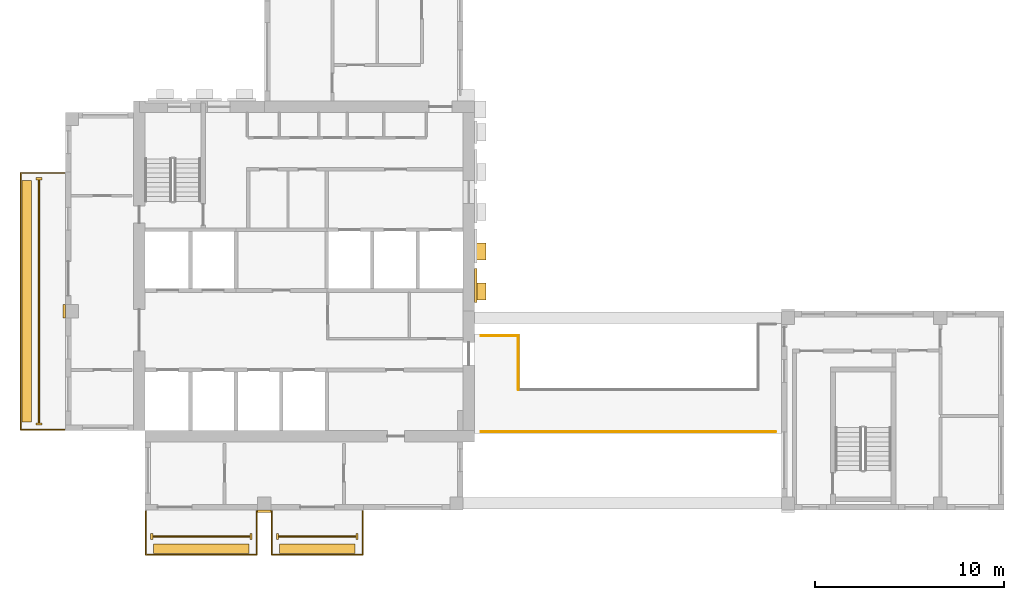
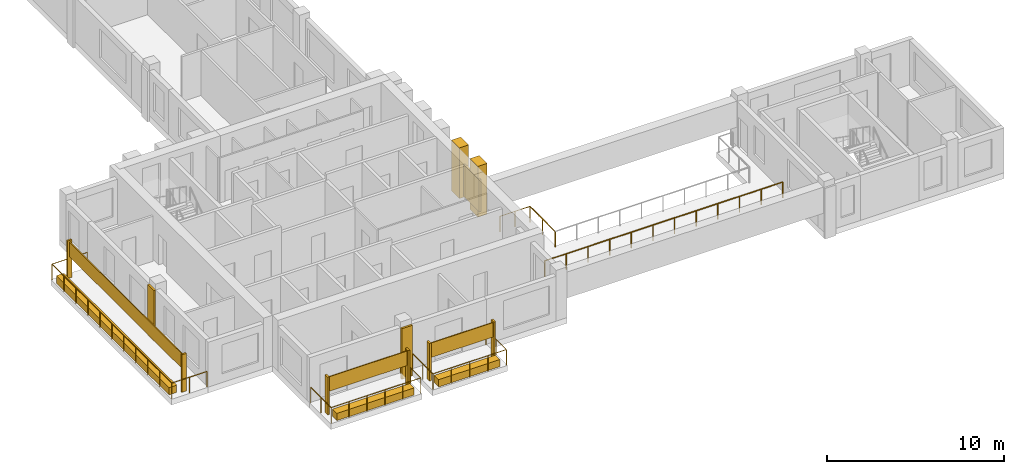
# One storey, part 6 of 9: 17 coverings, 6 railings.
"""IFC4 building model written with IfcOpenShell, lengths in metres."""

from ifc_helpers import new_model, si_unit, direction, frame, origin, origin_2d, place, context, subcontext, project, spatial, rectangle, circle, extrude, source, transform, mapped, material, type_object, element, save


model = new_model("IFC4")

# Units and contexts
model_context = context("Model", 3, precision=1e-05, world=origin(), true_north=direction((0.0, 1.0)))
body_context = subcontext(model_context, "Body", "Model", "MODEL_VIEW")
ifc_project = project(units=[si_unit("LENGTHUNIT", "METRE"), si_unit("AREAUNIT", "SQUARE_METRE"), si_unit("VOLUMEUNIT", "CUBIC_METRE"), si_unit("PLANEANGLEUNIT", "RADIAN"), si_unit("MASSUNIT", "GRAM", prefix="KILO")], contexts=[model_context])

# Site, building, storey
site_placement = place(None, origin())
site = spatial("IfcSite", under=ifc_project, at=site_placement, CompositionType="ELEMENT")
building_placement = place(site_placement, origin())
building = spatial("IfcBuilding", under=site, at=building_placement, Name="Aurelian Terraces", CompositionType="ELEMENT")
storey_placement = place(building_placement, frame((0.0, 0.0, 305.5)))
storey = spatial("IfcBuildingStorey", under=building, at=storey_placement, Name="L70", CompositionType="ELEMENT", Elevation=305.5)

# Railings
ifc_material_1 = material(Name="Anodised aluminium", Category="aluminium")
railing_type = type_object("IfcRailingType", Name="GUARD-1100", PredefinedType="GUARDRAIL", material=ifc_material_1)
railing_1_placement = place(storey_placement, frame((37.5, 4.14, 0.0)))
element("IfcRailing", 1, at=railing_1_placement, inside=storey, type_object=railing_type, Name="Terrace guard L70 BLADE-S-B70.1", PredefinedType="GUARDRAIL", context=body_context, shape_type="SweptSolid", body=[
    extrude(circle(Radius=0.024, at=origin_2d()), frame((0.0, 0.0, 1.076), z_axis=(-1.0, 0.0, 0.0), x_axis=(0.0, -1.0, 0.0)), (0.0, 0.0, 1.0), 15.5526),
    extrude(circle(Radius=0.021, at=origin_2d()), origin(), (0.0, 0.0, 1.0), 1.052),
    extrude(circle(Radius=0.021, at=origin_2d()), frame((-1.4139, 0.0, 0.0)), (0.0, 0.0, 1.0), 1.052),
    extrude(circle(Radius=0.021, at=origin_2d()), frame((-2.8277, 0.0, 0.0)), (0.0, 0.0, 1.0), 1.052),
    extrude(circle(Radius=0.021, at=origin_2d()), frame((-4.2416, 0.0, 0.0)), (0.0, 0.0, 1.0), 1.052),
    extrude(circle(Radius=0.021, at=origin_2d()), frame((-5.6555, 0.0, 0.0)), (0.0, 0.0, 1.0), 1.052),
    extrude(circle(Radius=0.021, at=origin_2d()), frame((-7.0694, 0.0, 0.0)), (0.0, 0.0, 1.0), 1.052),
    extrude(circle(Radius=0.021, at=origin_2d()), frame((-8.4832, 0.0, 0.0)), (0.0, 0.0, 1.0), 1.052),
    extrude(circle(Radius=0.021, at=origin_2d()), frame((-9.8971, 0.0, 0.0)), (0.0, 0.0, 1.0), 1.052),
    extrude(circle(Radius=0.021, at=origin_2d()), frame((-11.311, 0.0, 0.0)), (0.0, 0.0, 1.0), 1.052),
    extrude(circle(Radius=0.021, at=origin_2d()), frame((-12.7249, 0.0, 0.0)), (0.0, 0.0, 1.0), 1.052),
    extrude(circle(Radius=0.021, at=origin_2d()), frame((-14.1387, 0.0, 0.0)), (0.0, 0.0, 1.0), 1.052),
    extrude(circle(Radius=0.021, at=origin_2d()), frame((-15.5526, 0.0, 0.0)), (0.0, 0.0, 1.0), 1.052),
])
railing_2_placement = place(storey_placement, frame((23.91, 9.21, 0.0)))
element("IfcRailing", 2, at=railing_2_placement, inside=storey, type_object=railing_type, Name="Terrace guard L70 BLADE-S-B70.3", PredefinedType="GUARDRAIL", context=body_context, shape_type="SweptSolid", body=[
    extrude(circle(Radius=0.024, at=origin_2d()), frame((0.0, 0.0, 1.076), z_axis=(0.0, -1.0, 0.0), x_axis=(1.0, 0.0, 0.0)), (0.0, 0.0, 1.0), 2.85),
    extrude(circle(Radius=0.021, at=origin_2d()), origin(), (0.0, 0.0, 1.0), 1.052),
    extrude(circle(Radius=0.021, at=origin_2d()), frame((0.0, -1.425, 0.0)), (0.0, 0.0, 1.0), 1.052),
    extrude(circle(Radius=0.021, at=origin_2d()), frame((0.0, -2.85, 0.0)), (0.0, 0.0, 1.0), 1.052),
])

# Coverings
ifc_material_2 = material(Name="Terracotta rainscreen cladding relief", Category="masonry")
covering_type_1 = type_object("IfcCoveringType", Name="FIN-TC", PredefinedType="CLADDING", material=ifc_material_2)
shared_shape_1 = source(origin(), body_context, "Body", "SweptSolid", [
    extrude(rectangle(XDim=0.3, YDim=0.12, at=origin_2d()), origin(), (0.0, 0.0, 1.0), 2.6),
])
for number, where, z_axis, x_axis, name in (
    (3, (-1.4, 17.5, 0.0), (0.0, 0.0, 1.0), (1.0, 0.0, 0.0), "FIN L70 L70-F10-20.1"),
    (4, (-1.4, 4.55, 0.0), (0.0, 0.0, 1.0), (1.0, 0.0, 0.0), "FIN L70 L70-F10-20.2"),
):
    element("IfcCovering", number, at=place(storey_placement, frame(where, z_axis=z_axis, x_axis=x_axis)), inside=storey, type_object=covering_type_1, Name=name, PredefinedType="CLADDING", context=body_context, shape_type="MappedRepresentation", body=[
        mapped(shared_shape_1, transform((0.0, 0.0, 0.0), scale=1.0)),
    ])
shared_shape_2 = source(origin(), body_context, "Body", "SweptSolid", [
    extrude(rectangle(XDim=0.12, YDim=0.3, at=origin_2d()), origin(), (0.0, 0.0, 1.0), 2.6),
])
for number, where, z_axis, x_axis, name in (
    (5, (4.55, -1.4, 0.0), (0.0, 0.0, 1.0), (1.0, 0.0, 0.0), "FIN L70 L70-F01-01.1"),
    (6, (9.8, -1.4, 0.0), (0.0, 0.0, 1.0), (1.0, 0.0, 0.0), "FIN L70 L70-F01-01.2"),
    (7, (11.2, -1.4, 0.0), (0.0, 0.0, 1.0), (1.0, 0.0, 0.0), "FIN L70 L70-F01-02.1"),
    (8, (15.4, -1.4, 0.0), (0.0, 0.0, 1.0), (1.0, 0.0, 0.0), "FIN L70 L70-F01-02.2"),
):
    element("IfcCovering", number, at=place(storey_placement, frame(where, z_axis=z_axis, x_axis=x_axis)), inside=storey, type_object=covering_type_1, Name=name, PredefinedType="CLADDING", context=body_context, shape_type="MappedRepresentation", body=[
        mapped(shared_shape_2, transform((0.0, 0.0, 0.0), scale=1.0)),
    ])

# Railing
shared_shape_3 = source(origin(), body_context, "Body", "SweptSolid", [
    extrude(circle(Radius=0.024, at=origin_2d()), frame((0.0, 0.0, 1.076), z_axis=(-1.0, 0.0, 0.0), x_axis=(0.0, -1.0, 0.0)), (0.0, 0.0, 1.0), 2.3),
    extrude(circle(Radius=0.024, at=origin_2d()), frame((-2.3, 0.0, 1.076), z_axis=(0.0, -1.0, 0.0), x_axis=(1.0, 0.0, 0.0)), (0.0, 0.0, 1.0), 13.55),
    extrude(circle(Radius=0.024, at=origin_2d()), frame((-2.3, -13.55, 1.076), z_axis=(1.0, 0.0, 0.0), x_axis=(0.0, 1.0, 0.0)), (0.0, 0.0, 1.0), 2.3),
    extrude(circle(Radius=0.021, at=origin_2d()), origin(), (0.0, 0.0, 1.0), 1.052),
    extrude(circle(Radius=0.021, at=origin_2d()), frame((-1.15, 0.0, 0.0)), (0.0, 0.0, 1.0), 1.052),
    extrude(circle(Radius=0.021, at=origin_2d()), frame((-2.3, 0.0, 0.0)), (0.0, 0.0, 1.0), 1.052),
    extrude(circle(Radius=0.021, at=origin_2d()), frame((-2.3, -1.355, 0.0)), (0.0, 0.0, 1.0), 1.052),
    extrude(circle(Radius=0.021, at=origin_2d()), frame((-2.3, -2.71, 0.0)), (0.0, 0.0, 1.0), 1.052),
    extrude(circle(Radius=0.021, at=origin_2d()), frame((-2.3, -4.065, 0.0)), (0.0, 0.0, 1.0), 1.052),
    extrude(circle(Radius=0.021, at=origin_2d()), frame((-2.3, -5.42, 0.0)), (0.0, 0.0, 1.0), 1.052),
    extrude(circle(Radius=0.021, at=origin_2d()), frame((-2.3, -6.775, 0.0)), (0.0, 0.0, 1.0), 1.052),
    extrude(circle(Radius=0.021, at=origin_2d()), frame((-2.3, -8.13, 0.0)), (0.0, 0.0, 1.0), 1.052),
    extrude(circle(Radius=0.021, at=origin_2d()), frame((-2.3, -9.485, 0.0)), (0.0, 0.0, 1.0), 1.052),
    extrude(circle(Radius=0.021, at=origin_2d()), frame((-2.3, -10.84, 0.0)), (0.0, 0.0, 1.0), 1.052),
    extrude(circle(Radius=0.021, at=origin_2d()), frame((-2.3, -12.195, 0.0)), (0.0, 0.0, 1.0), 1.052),
    extrude(circle(Radius=0.021, at=origin_2d()), frame((-2.3, -13.55, 0.0)), (0.0, 0.0, 1.0), 1.052),
    extrude(circle(Radius=0.021, at=origin_2d()), frame((-1.15, -13.55, 0.0)), (0.0, 0.0, 1.0), 1.052),
    extrude(circle(Radius=0.021, at=origin_2d()), frame((0.0, -13.55, 0.0)), (0.0, 0.0, 1.0), 1.052),
])
railing_3_placement = place(storey_placement, frame((-0.05, 17.8, 0.0)))
element("IfcRailing", 9, at=railing_3_placement, inside=storey, type_object=railing_type, Name="Balcony guard L70 F10.20", PredefinedType="GUARDRAIL", context=body_context, shape_type="MappedRepresentation", body=[
    mapped(shared_shape_3, transform((0.0, 0.0, 0.0), scale=1.0)),
])

# Coverings
ifc_material_3 = material(Name="Terracotta planter with planting soil", Category="masonry")
covering_type_2 = type_object("IfcCoveringType", Name="PLANTER-TROUGH", PredefinedType="USERDEFINED", material=ifc_material_3)
shared_shape_4 = source(origin(), body_context, "Body", "SweptSolid", [
    extrude(rectangle(XDim=0.5, YDim=12.75, at=origin_2d()), origin(), (0.0, 0.0, 1.0), 0.5),
])
covering_1_placement = place(storey_placement, frame((-2.05, 11.025, 0.0), z_axis=(0.0, 0.0, 1.0), x_axis=(1.0, 0.0, 0.0)))
element("IfcCovering", 10, at=covering_1_placement, inside=storey, type_object=covering_type_2, Name="PLANTER L70 L70-F10-20", ObjectType="PLANTER", PredefinedType="USERDEFINED", context=body_context, shape_type="MappedRepresentation", body=[
    mapped(shared_shape_4, transform((0.0, 0.0, 0.0), scale=1.0)),
])
ifc_material_4 = material(Name="Terracotta rainscreen cladding", Category="masonry")
covering_type_3 = type_object("IfcCoveringType", Name="SCREEN-TC", PredefinedType="CLADDING", material=ifc_material_4)
shared_shape_5 = source(origin(), body_context, "Body", "SweptSolid", [
    extrude(rectangle(XDim=0.06, YDim=12.83, at=origin_2d()), origin(), (0.0, 0.0, 1.0), 1.0),
])
covering_2_placement = place(storey_placement, frame((-1.4, 11.025, 1.5), z_axis=(0.0, 0.0, 1.0), x_axis=(1.0, 0.0, 0.0)))
element("IfcCovering", 11, at=covering_2_placement, inside=storey, type_object=covering_type_3, Name="SCREEN L70 L70-F10-20", PredefinedType="CLADDING", context=body_context, shape_type="MappedRepresentation", body=[
    mapped(shared_shape_5, transform((0.0, 0.0, 0.0), scale=1.0)),
])
ifc_material_5 = material(Name="Terracotta rainscreen cladding louvre blades", Category="masonry")
covering_type_4 = type_object("IfcCoveringType", Name="LOUVRE-TC", PredefinedType="CLADDING", material=ifc_material_5)
shared_shape_6 = source(origin(), body_context, "Body", "SweptSolid", [
    extrude(rectangle(XDim=0.12, YDim=1.8, at=origin_2d()), origin(), (0.0, 0.0, 1.0), 2.2),
])
covering_3_placement = place(storey_placement, frame((21.66, 11.85, 0.45), z_axis=(0.0, 0.0, 1.0), x_axis=(1.0, 0.0, 0.0)))
element("IfcCovering", 12, at=covering_3_placement, inside=storey, type_object=covering_type_4, Name="LOUVRE L70 core face E.1", PredefinedType="CLADDING", context=body_context, shape_type="MappedRepresentation", body=[
    mapped(shared_shape_6, transform((0.0, 0.0, 0.0), scale=1.0)),
])
covering_type_5 = type_object("IfcCoveringType", Name="BAGUETTE-TC", PredefinedType="CLADDING", material=ifc_material_2)
shared_shape_7 = source(origin(), body_context, "Body", "SweptSolid", [
    extrude(rectangle(XDim=0.7, YDim=0.12, at=origin_2d()), origin(), (0.0, 0.0, 1.0), 3.5),
])
covering_4_placement = place(storey_placement, frame((10.5, -0.06, -0.4), z_axis=(0.0, 0.0, 1.0), x_axis=(1.0, 0.0, 0.0)))
element("IfcCovering", 13, at=covering_4_placement, inside=storey, type_object=covering_type_5, Name="BAGUETTE pier L70 1", PredefinedType="CLADDING", context=body_context, shape_type="MappedRepresentation", body=[
    mapped(shared_shape_7, transform((0.0, 0.0, 0.0), scale=1.0)),
])
shared_shape_8 = source(origin(), body_context, "Body", "SweptSolid", [
    extrude(rectangle(XDim=0.12, YDim=0.7, at=origin_2d()), origin(), (0.0, 0.0, 1.0), 3.5),
])
covering_5_placement = place(storey_placement, frame((-0.06, 10.5, -0.4), z_axis=(0.0, 0.0, 1.0), x_axis=(1.0, 0.0, 0.0)))
element("IfcCovering", 14, at=covering_5_placement, inside=storey, type_object=covering_type_5, Name="BAGUETTE pier L70 4", PredefinedType="CLADDING", context=body_context, shape_type="MappedRepresentation", body=[
    mapped(shared_shape_8, transform((0.0, 0.0, 0.0), scale=1.0)),
])

# Railing
shared_shape_9 = source(origin(), body_context, "Body", "SweptSolid", [
    extrude(circle(Radius=0.024, at=origin_2d()), frame((0.0, 0.0, 1.076), z_axis=(0.0, -1.0, 0.0), x_axis=(1.0, 0.0, 0.0)), (0.0, 0.0, 1.0), 2.3),
    extrude(circle(Radius=0.024, at=origin_2d()), frame((0.0, -2.3, 1.076), z_axis=(1.0, 0.0, 0.0), x_axis=(0.0, 1.0, 0.0)), (0.0, 0.0, 1.0), 5.85),
    extrude(circle(Radius=0.024, at=origin_2d()), frame((5.85, -2.3, 1.076), z_axis=(0.0, 1.0, 0.0), x_axis=(-1.0, 0.0, 0.0)), (0.0, 0.0, 1.0), 2.3),
    extrude(circle(Radius=0.021, at=origin_2d()), origin(), (0.0, 0.0, 1.0), 1.052),
    extrude(circle(Radius=0.021, at=origin_2d()), frame((0.0, -1.15, 0.0)), (0.0, 0.0, 1.0), 1.052),
    extrude(circle(Radius=0.021, at=origin_2d()), frame((0.0, -2.3, 0.0)), (0.0, 0.0, 1.0), 1.052),
    extrude(circle(Radius=0.021, at=origin_2d()), frame((1.17, -2.3, 0.0)), (0.0, 0.0, 1.0), 1.052),
    extrude(circle(Radius=0.021, at=origin_2d()), frame((2.34, -2.3, 0.0)), (0.0, 0.0, 1.0), 1.052),
    extrude(circle(Radius=0.021, at=origin_2d()), frame((3.51, -2.3, 0.0)), (0.0, 0.0, 1.0), 1.052),
    extrude(circle(Radius=0.021, at=origin_2d()), frame((4.68, -2.3, 0.0)), (0.0, 0.0, 1.0), 1.052),
    extrude(circle(Radius=0.021, at=origin_2d()), frame((5.85, -2.3, 0.0)), (0.0, 0.0, 1.0), 1.052),
    extrude(circle(Radius=0.021, at=origin_2d()), frame((5.85, -1.15, 0.0)), (0.0, 0.0, 1.0), 1.052),
    extrude(circle(Radius=0.021, at=origin_2d()), frame((5.85, 0.0, 0.0)), (0.0, 0.0, 1.0), 1.052),
])
railing_4_placement = place(storey_placement, frame((4.25, -0.05, 0.0)))
element("IfcRailing", 15, at=railing_4_placement, inside=storey, type_object=railing_type, Name="Balcony guard L70 F01.1", PredefinedType="GUARDRAIL", context=body_context, shape_type="MappedRepresentation", body=[
    mapped(shared_shape_9, transform((0.0, 0.0, 0.0), scale=1.0)),
])

# Coverings
shared_shape_10 = source(origin(), body_context, "Body", "SweptSolid", [
    extrude(rectangle(XDim=5.05, YDim=0.5, at=origin_2d()), origin(), (0.0, 0.0, 1.0), 0.5),
])
covering_6_placement = place(storey_placement, frame((7.175, -2.05, 0.0), z_axis=(0.0, 0.0, 1.0), x_axis=(1.0, 0.0, 0.0)))
element("IfcCovering", 16, at=covering_6_placement, inside=storey, type_object=covering_type_2, Name="PLANTER L70 L70-F01-01", ObjectType="PLANTER", PredefinedType="USERDEFINED", context=body_context, shape_type="MappedRepresentation", body=[
    mapped(shared_shape_10, transform((0.0, 0.0, 0.0), scale=1.0)),
])
shared_shape_11 = source(origin(), body_context, "Body", "SweptSolid", [
    extrude(rectangle(XDim=5.13, YDim=0.06, at=origin_2d()), origin(), (0.0, 0.0, 1.0), 1.0),
])
covering_7_placement = place(storey_placement, frame((7.175, -1.4, 1.5), z_axis=(0.0, 0.0, 1.0), x_axis=(1.0, 0.0, 0.0)))
element("IfcCovering", 17, at=covering_7_placement, inside=storey, type_object=covering_type_3, Name="SCREEN L70 L70-F01-01", PredefinedType="CLADDING", context=body_context, shape_type="MappedRepresentation", body=[
    mapped(shared_shape_11, transform((0.0, 0.0, 0.0), scale=1.0)),
])

# Railing
shared_shape_12 = source(origin(), body_context, "Body", "SweptSolid", [
    extrude(circle(Radius=0.024, at=origin_2d()), frame((0.0, 0.0, 1.076), z_axis=(0.0, -1.0, 0.0), x_axis=(1.0, 0.0, 0.0)), (0.0, 0.0, 1.0), 2.3),
    extrude(circle(Radius=0.024, at=origin_2d()), frame((0.0, -2.3, 1.076), z_axis=(1.0, 0.0, 0.0), x_axis=(0.0, 1.0, 0.0)), (0.0, 0.0, 1.0), 4.8),
    extrude(circle(Radius=0.024, at=origin_2d()), frame((4.8, -2.3, 1.076), z_axis=(0.0, 1.0, 0.0), x_axis=(-1.0, 0.0, 0.0)), (0.0, 0.0, 1.0), 2.3),
    extrude(circle(Radius=0.021, at=origin_2d()), origin(), (0.0, 0.0, 1.0), 1.052),
    extrude(circle(Radius=0.021, at=origin_2d()), frame((0.0, -1.15, 0.0)), (0.0, 0.0, 1.0), 1.052),
    extrude(circle(Radius=0.021, at=origin_2d()), frame((0.0, -2.3, 0.0)), (0.0, 0.0, 1.0), 1.052),
    extrude(circle(Radius=0.021, at=origin_2d()), frame((1.2, -2.3, 0.0)), (0.0, 0.0, 1.0), 1.052),
    extrude(circle(Radius=0.021, at=origin_2d()), frame((2.4, -2.3, 0.0)), (0.0, 0.0, 1.0), 1.052),
    extrude(circle(Radius=0.021, at=origin_2d()), frame((3.6, -2.3, 0.0)), (0.0, 0.0, 1.0), 1.052),
    extrude(circle(Radius=0.021, at=origin_2d()), frame((4.8, -2.3, 0.0)), (0.0, 0.0, 1.0), 1.052),
    extrude(circle(Radius=0.021, at=origin_2d()), frame((4.8, -1.15, 0.0)), (0.0, 0.0, 1.0), 1.052),
    extrude(circle(Radius=0.021, at=origin_2d()), frame((4.8, 0.0, 0.0)), (0.0, 0.0, 1.0), 1.052),
])
railing_5_placement = place(storey_placement, frame((10.9, -0.05, 0.0)))
element("IfcRailing", 18, at=railing_5_placement, inside=storey, type_object=railing_type, Name="Balcony guard L70 F01.2", PredefinedType="GUARDRAIL", context=body_context, shape_type="MappedRepresentation", body=[
    mapped(shared_shape_12, transform((0.0, 0.0, 0.0), scale=1.0)),
])

# Coverings
shared_shape_13 = source(origin(), body_context, "Body", "SweptSolid", [
    extrude(rectangle(XDim=4.0, YDim=0.5, at=origin_2d()), origin(), (0.0, 0.0, 1.0), 0.5),
])
covering_8_placement = place(storey_placement, frame((13.3, -2.05, 0.0), z_axis=(0.0, 0.0, 1.0), x_axis=(1.0, 0.0, 0.0)))
element("IfcCovering", 19, at=covering_8_placement, inside=storey, type_object=covering_type_2, Name="PLANTER L70 L70-F01-02", ObjectType="PLANTER", PredefinedType="USERDEFINED", context=body_context, shape_type="MappedRepresentation", body=[
    mapped(shared_shape_13, transform((0.0, 0.0, 0.0), scale=1.0)),
])
shared_shape_14 = source(origin(), body_context, "Body", "SweptSolid", [
    extrude(rectangle(XDim=4.08, YDim=0.06, at=origin_2d()), origin(), (0.0, 0.0, 1.0), 1.0),
])
covering_9_placement = place(storey_placement, frame((13.3, -1.4, 1.5), z_axis=(0.0, 0.0, 1.0), x_axis=(1.0, 0.0, 0.0)))
element("IfcCovering", 20, at=covering_9_placement, inside=storey, type_object=covering_type_3, Name="SCREEN L70 L70-F01-02", PredefinedType="CLADDING", context=body_context, shape_type="MappedRepresentation", body=[
    mapped(shared_shape_14, transform((0.0, 0.0, 0.0), scale=1.0)),
])

# Railing
shared_shape_15 = source(origin(), body_context, "Body", "SweptSolid", [
    extrude(circle(Radius=0.024, at=origin_2d()), frame((0.0, 0.0, 1.076), z_axis=(1.0, 0.0, 0.0), x_axis=(0.0, 1.0, 0.0)), (0.0, 0.0, 1.0), 1.96),
    extrude(circle(Radius=0.021, at=origin_2d()), origin(), (0.0, 0.0, 1.0), 1.052),
    extrude(circle(Radius=0.021, at=origin_2d()), frame((0.98, 0.0, 0.0)), (0.0, 0.0, 1.0), 1.052),
    extrude(circle(Radius=0.021, at=origin_2d()), frame((1.96, 0.0, 0.0)), (0.0, 0.0, 1.0), 1.052),
])
railing_6_placement = place(storey_placement, frame((21.95, 9.21, 0.0)))
element("IfcRailing", 21, at=railing_6_placement, inside=storey, type_object=railing_type, Name="Terrace guard L70 BLADE-S-B70.2", PredefinedType="GUARDRAIL", context=body_context, shape_type="MappedRepresentation", body=[
    mapped(shared_shape_15, transform((0.0, 0.0, 0.0), scale=1.0)),
])

# Coverings
covering_type_6 = type_object("IfcCoveringType", Name="Core spine pier 900x600", PredefinedType="CLADDING", material=ifc_material_2)
shared_shape_16 = source(origin(), body_context, "Body", "SweptSolid", [
    extrude(rectangle(XDim=0.6, YDim=0.9, at=origin_2d()), origin(), (0.0, 0.0, 1.0), 3.5),
])
for number, where, z_axis, x_axis, name in (
    (22, (21.9, 11.55, 0.0), (0.0, 0.0, 1.0), (1.0, 0.0, 0.0), "Spine pier L70 E1"),
    (23, (21.9, 13.65, 0.0), (0.0, 0.0, 1.0), (1.0, 0.0, 0.0), "Spine pier L70 E2"),
):
    element("IfcCovering", number, at=place(storey_placement, frame(where, z_axis=z_axis, x_axis=x_axis)), inside=storey, type_object=covering_type_6, Name=name, PredefinedType="CLADDING", context=body_context, shape_type="MappedRepresentation", body=[
        mapped(shared_shape_16, transform((0.0, 0.0, 0.0), scale=1.0)),
    ])

save(model, "model.ifc")
